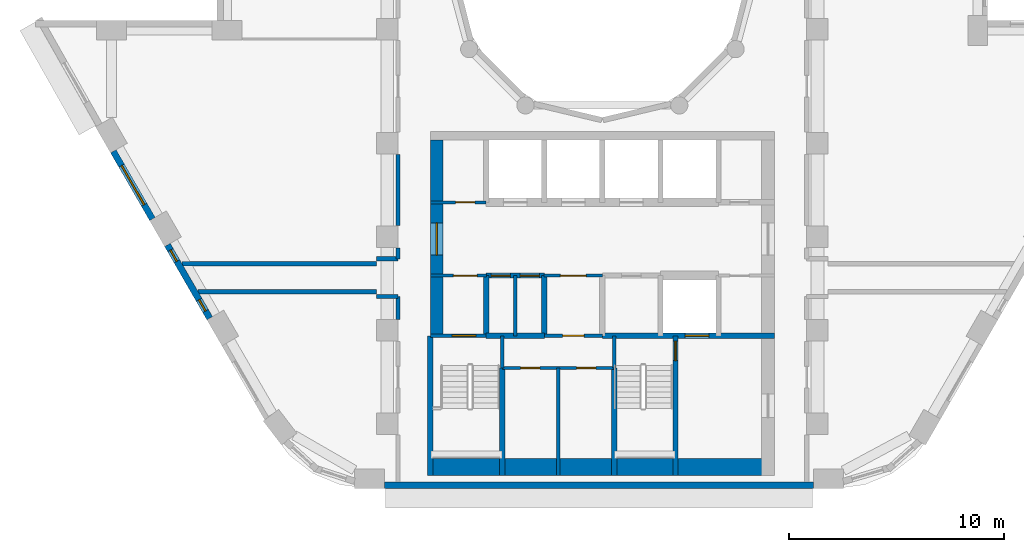
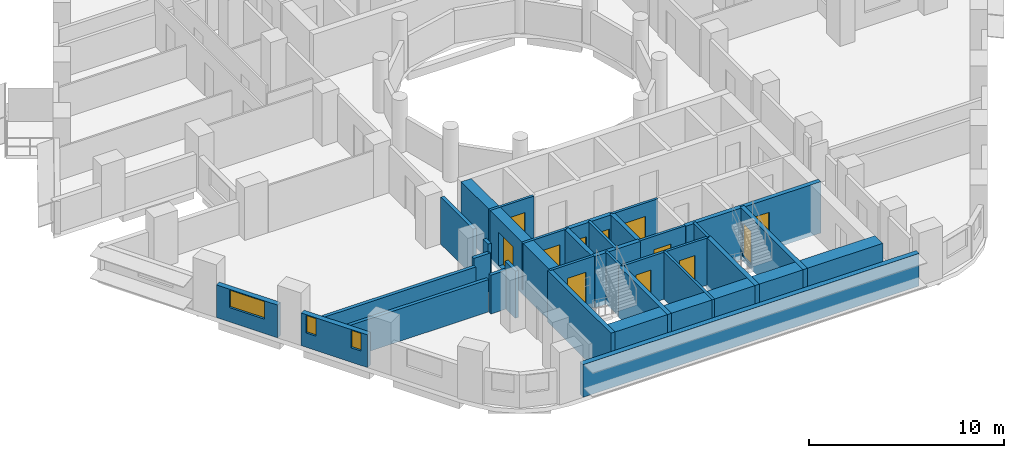
# One storey, part 3 of 14: 31 walls, 12 doors, 3 windows, 15 openings.
"""IFC4 building model written with IfcOpenShell, lengths in metres."""

from ifc_helpers import new_model, si_unit, direction, frame, frame_2d, origin, place, context, subcontext, project, spatial, rectangle, extrude, material, layer, layer_set, type_object, element, fill, save


model = new_model("IFC4")

# Units and contexts
model_context = context("Model", 3, precision=1e-05, world=origin(), true_north=direction((0.0, 1.0)))
body_context = subcontext(model_context, "Body", "Model", "MODEL_VIEW")
ifc_project = project(units=[si_unit("LENGTHUNIT", "METRE"), si_unit("AREAUNIT", "SQUARE_METRE"), si_unit("VOLUMEUNIT", "CUBIC_METRE"), si_unit("PLANEANGLEUNIT", "RADIAN"), si_unit("MASSUNIT", "GRAM", prefix="KILO")], contexts=[model_context])

# Site, building, storey
site_placement = place(None, origin())
site = spatial("IfcSite", under=ifc_project, at=site_placement, CompositionType="ELEMENT")
building_placement = place(site_placement, origin())
building = spatial("IfcBuilding", under=site, at=building_placement, Name="Nakaniwa Court", CompositionType="ELEMENT")
storey_placement = place(building_placement, frame((0.0, 0.0, 117.300048828125)))
storey = spatial("IfcBuildingStorey", under=building, at=storey_placement, Name="L31", CompositionType="ELEMENT", Elevation=117.300048828125)

# Walls
ifc_material_1 = material(Name="Acoustic double stud partition")
ifc_layer_1 = layer(ifc_material_1, 0.199951171875)
ifc_layer_set_1 = layer_set([ifc_layer_1], Name="Acoustic double stud partition")
wall_type_1 = type_object("IfcWallType", Name="Acoustic double stud partition 200", PredefinedType="PARTITIONING", material=ifc_layer_set_1)
wall_1_placement = place(storey_placement, frame((61.207275390625, 65.14990234375, 0.0), z_axis=(0.0, 0.0, 1.0), x_axis=(1.0, 0.0, 0.0)))
element("IfcWall", 1, at=wall_1_placement, inside=storey, type_object=wall_type_1, Name="Partition PW-090", PredefinedType="PARTITIONING", context=body_context, shape_type="SweptSolid", body=[
    extrude(rectangle(XDim=8.292724609375, YDim=0.199951171875, at=frame_2d((4.146484375, 0.0))), origin(), (0.0, 0.0, 1.0), 2.030029296875),
])
for number, where, z_axis, x_axis, name in (
    (2, (69.5, 64.925048828125, 0.0), (0.0, 0.0, 1.0), (1.0, 0.0, 0.0), "Partition PW-092"),
    (3, (69.5, 66.675048828125, 0.0), (0.0, 0.0, 1.0), (1.0, 0.0, 0.0), "Partition PW-094"),
):
    element("IfcWall", number, at=place(storey_placement, frame(where, z_axis=z_axis, x_axis=x_axis)), inside=storey, type_object=wall_type_1, Name=name, PredefinedType="PARTITIONING", context=body_context, shape_type="SweptSolid", body=[
        extrude(rectangle(XDim=1.0, YDim=0.199951171875, at=frame_2d((0.5, 0.0))), origin(), (0.0, 0.0, 1.0), 2.429931640625),
    ])
wall_2_placement = place(storey_placement, frame((60.456787109375, 66.449951171875, 0.0), z_axis=(0.0, 0.0, 1.0), x_axis=(1.0, 0.0, 0.0)))
element("IfcWall", 4, at=wall_2_placement, inside=storey, type_object=wall_type_1, Name="Partition PW-096", PredefinedType="PARTITIONING", context=body_context, shape_type="SweptSolid", body=[
    extrude(rectangle(XDim=9.043212890625, YDim=0.199951171875, at=frame_2d((4.521484375, 0.0))), origin(), (0.0, 0.0, 1.0), 2.030029296875),
])
wall_3_placement = place(storey_placement, frame((70.5, 63.866943359375, 0.0), z_axis=(0.0, 0.0, 1.0), x_axis=(0.0, 1.0, 0.0)))
element("IfcWall", 5, at=wall_3_placement, inside=storey, type_object=wall_type_1, Name="Partition PW-100", PredefinedType="PARTITIONING", context=body_context, shape_type="SweptSolid", body=[
    extrude(rectangle(XDim=1.06103515625, YDim=0.199951171875, at=frame_2d((0.530517578125, 0.0))), origin(), (0.0, 0.0, 1.0), 2.949951171875),
])
wall_4_placement = place(storey_placement, frame((70.5, 66.672119140625, 0.0), z_axis=(0.0, 0.0, 1.0), x_axis=(0.0, 1.0, 0.0)))
element("IfcWall", 6, at=wall_4_placement, inside=storey, type_object=wall_type_1, Name="Partition PW-101", PredefinedType="PARTITIONING", context=body_context, shape_type="SweptSolid", body=[
    extrude(rectangle(XDim=0.510986328125, YDim=0.199951171875, at=frame_2d((0.25537109375, 0.0))), origin(), (0.0, 0.0, 1.0), 2.949951171875),
])
wall_5_placement = place(storey_placement, frame((70.5, 68.217041015625, 0.0), z_axis=(0.0, 0.0, 1.0), x_axis=(0.0, 1.0, 0.0)))
element("IfcWall", 7, at=wall_5_placement, inside=storey, type_object=wall_type_1, Name="Partition PW-102", PredefinedType="PARTITIONING", context=body_context, shape_type="SweptSolid", body=[
    extrude(rectangle(XDim=3.31591796875, YDim=0.199951171875, at=frame_2d((1.657958984375, 0.0))), origin(), (0.0, 0.0, 1.0), 2.949951171875),
])

# Wall, opening, window
ifc_material_2 = material(Name="Charcoal ceramic cladding")
ifc_layer_2 = layer(ifc_material_2, 0.02, Name="Ceramic cladding")
ifc_material_3 = material(Name="Ventilated air cavity")
ifc_layer_3 = layer(ifc_material_3, 0.04, ventilated=True, Name="Ventilated cavity")
ifc_material_4 = material(Name="Mineral wool insulation")
ifc_layer_4 = layer(ifc_material_4, 0.1, Name="Insulation")
ifc_material_5 = material(Name="Cement bonded sheathing board")
ifc_layer_5 = layer(ifc_material_5, 0.012, Name="Sheathing")
ifc_material_6 = material(Name="Cold-formed galvanised stud frame with mineral wool infill")
ifc_layer_6 = layer(ifc_material_6, 0.1, Name="Stud frame")
ifc_material_7 = material(Name="Fire-rated gypsum plasterboard lining")
ifc_layer_7 = layer(ifc_material_7, 0.028, Name="Lining")
ifc_layer_set_2 = layer_set([ifc_layer_2, ifc_layer_3, ifc_layer_4, ifc_layer_5, ifc_layer_6, ifc_layer_7], Name="Charcoal ceramic faced external wall system")
wall_type_2 = type_object("IfcWallType", Name="Black ceramic faced external wall 300", PredefinedType="SOLIDWALL", material=ifc_layer_set_2)
wall_6_placement = place(storey_placement, frame((57.265380859375, 71.677490234375, 0.0), z_axis=(0.0, 0.0, 1.0), x_axis=(0.500009139881, -0.866020126807, 0.0)))
wall_6 = element("IfcWall", 8, at=wall_6_placement, inside=storey, type_object=wall_type_2, Name="L31 external wall 21", PredefinedType="SOLIDWALL", context=body_context, shape_type="SweptSolid", body=[
    extrude(rectangle(XDim=3.63671875, YDim=0.300048828125, at=frame_2d((1.818359375, 0.0))), origin(), (0.0, 0.0, 1.0), 2.050048828125),
])
opening_1_placement = place(wall_6_placement, frame((0.768310546875, 0.0, 0.89990234375)))
opening_1 = element("IfcOpeningElement", 9, at=opening_1_placement, cuts=wall_6, Name="Opening W7.15", PredefinedType="OPENING", context=body_context, shape_type="SweptSolid", body=[
    extrude(rectangle(XDim=2.10009765625, YDim=1.10009765625, at=frame_2d((1.050048828125, 0.550048828125))), frame((0.0, 0.159912109375, 0.0), z_axis=(0.0, -1.0, 0.0), x_axis=(1.0, 0.0, 0.0)), (0.0, 0.0, 1.0), 0.320068359375),
])
ifc_material_8 = material(Name="Black anodised aluminium frame with dark low-E laminated double glazing", Category="aluminium")
window_type_1 = type_object("IfcWindowType", Name="Dark glass window 2100x1100 sill 900", PartitioningType="SINGLE_PANEL", PredefinedType="WINDOW", material=ifc_material_8)
window_1_placement = place(opening_1_placement, origin())
window_1 = element("IfcWindow", 10, at=window_1_placement, inside=storey, type_object=window_type_1, Name="L31 habitable room window 21-0", OverallHeight=1.10009765625, OverallWidth=2.10009765625, PartitioningType="SINGLE_PANEL", PredefinedType="WINDOW", context=body_context, shape_type="SweptSolid", body=[
    extrude(rectangle(XDim=2.10009765625, YDim=1.10009765625, at=frame_2d((1.050048828125, 0.550048828125))), frame((0.0, 0.030029296875, 0.0), z_axis=(0.0, -1.0, 0.0), x_axis=(1.0, 0.0, 0.0)), (0.0, 0.0, 1.0), 0.06005859375),
])
fill(opening_1, window_1)

# Wall, openings, windows
wall_7_placement = place(storey_placement, frame((59.77978515625, 67.322509765625, 0.0), z_axis=(0.0, 0.0, 1.0), x_axis=(0.499957037901, -0.866050206543, 0.0)))
wall_7 = element("IfcWall", 11, at=wall_7_placement, inside=storey, type_object=wall_type_2, Name="L31 external wall 22", PredefinedType="SOLIDWALL", context=body_context, shape_type="SweptSolid", body=[
    extrude(rectangle(XDim=3.933837890625, YDim=0.300048828125, at=frame_2d((1.966796875, 0.0))), origin(), (0.0, 0.0, 1.0), 2.050048828125),
])
opening_2_placement = place(wall_7_placement, frame((0.27783203125, 0.0, 0.89990234375)))
opening_2 = element("IfcOpeningElement", 12, at=opening_2_placement, cuts=wall_7, Name="Opening W8.16", PredefinedType="OPENING", context=body_context, shape_type="SweptSolid", body=[
    extrude(rectangle(XDim=0.60009765625, YDim=1.10009765625, at=frame_2d((0.300048828125, 0.550048828125))), frame((0.0, 0.159912109375, 0.0), z_axis=(0.0, -1.0, 0.0), x_axis=(1.0, 0.0, 0.0)), (0.0, 0.0, 1.0), 0.320068359375),
])
opening_3_placement = place(wall_7_placement, frame((2.9453125, 0.0, 0.89990234375)))
opening_3 = element("IfcOpeningElement", 13, at=opening_3_placement, cuts=wall_7, Name="Opening W8.17", PredefinedType="OPENING", context=body_context, shape_type="SweptSolid", body=[
    extrude(rectangle(XDim=0.60009765625, YDim=1.10009765625, at=frame_2d((0.300048828125, 0.550048828125))), frame((0.0, 0.159912109375, 0.0), z_axis=(0.0, -1.0, 0.0), x_axis=(1.0, 0.0, 0.0)), (0.0, 0.0, 1.0), 0.320068359375),
])
window_type_2 = type_object("IfcWindowType", Name="Dark glass window 600x1100 sill 900", PartitioningType="SINGLE_PANEL", PredefinedType="WINDOW", material=ifc_material_8)
window_2_placement = place(opening_2_placement, origin())
window_2 = element("IfcWindow", 14, at=window_2_placement, inside=storey, type_object=window_type_2, Name="L31 habitable room window 22-0", OverallHeight=1.10009765625, OverallWidth=0.60009765625, PartitioningType="SINGLE_PANEL", PredefinedType="WINDOW", context=body_context, shape_type="SweptSolid", body=[
    extrude(rectangle(XDim=0.60009765625, YDim=1.10009765625, at=frame_2d((0.300048828125, 0.550048828125))), frame((0.0, 0.030029296875, 0.0), z_axis=(0.0, -1.0, 0.0), x_axis=(1.0, 0.0, 0.0)), (0.0, 0.0, 1.0), 0.06005859375),
])
fill(opening_2, window_2)
window_3_placement = place(opening_3_placement, origin())
window_3 = element("IfcWindow", 15, at=window_3_placement, inside=storey, type_object=window_type_2, Name="L31 habitable room window 22-2", OverallHeight=1.10009765625, OverallWidth=0.60009765625, PartitioningType="SINGLE_PANEL", PredefinedType="WINDOW", context=body_context, shape_type="SweptSolid", body=[
    extrude(rectangle(XDim=0.60009765625, YDim=1.10009765625, at=frame_2d((0.300048828125, 0.550048828125))), frame((0.0, 0.030029296875, 0.0), z_axis=(0.0, -1.0, 0.0), x_axis=(1.0, 0.0, 0.0)), (0.0, 0.0, 1.0), 0.06005859375),
])
fill(opening_3, window_3)

# Wall
wall_8_placement = place(storey_placement, frame((69.871337890625, 56.14990234375, 0.0), z_axis=(0.0, 0.0, 1.0), x_axis=(1.0, 0.0, 0.0)))
element("IfcWall", 16, at=wall_8_placement, inside=storey, type_object=wall_type_2, Name="L31 external wall 26", PredefinedType="SOLIDWALL", context=body_context, shape_type="SweptSolid", body=[
    extrude(rectangle(XDim=19.939697265625, YDim=0.300048828125, at=frame_2d((9.9697265625, 0.0))), origin(), (0.0, 0.0, 1.0), 2.050048828125),
])

# Wall, opening, door
ifc_material_9 = material(Name="Blockwork partition", Category="masonry")
ifc_layer_8 = layer(ifc_material_9, 0.14990234375)
ifc_layer_set_3 = layer_set([ifc_layer_8], Name="Blockwork partition")
wall_type_3 = type_object("IfcWallType", Name="Blockwork partition 150", PredefinedType="PARTITIONING", material=ifc_layer_set_3)
wall_9_placement = place(storey_placement, frame((72.0, 69.300048828125, 0.0), z_axis=(0.0, 0.0, 1.0), x_axis=(1.0, 0.0, 0.0)))
wall_9 = element("IfcWall", 17, at=wall_9_placement, inside=storey, type_object=wall_type_3, Name="Partition PW-037", PredefinedType="PARTITIONING", context=body_context, shape_type="SweptSolid", body=[
    extrude(rectangle(XDim=2.60009765625, YDim=0.14990234375, at=frame_2d((1.300048828125, 0.0))), origin(), (0.0, 0.0, 1.0), 2.949951171875),
])
opening_4_placement = place(wall_9_placement, frame((1.175048828125, 0.0, 0.0)))
opening_4 = element("IfcOpeningElement", 18, at=opening_4_placement, cuts=wall_9, Name="Opening D-05-09", PredefinedType="OPENING", context=body_context, shape_type="SweptSolid", body=[
    extrude(rectangle(XDim=0.89990234375, YDim=2.10009765625, at=frame_2d((0.449951171875, 1.050048828125))), frame((0.0, 0.0849609375, 0.0), z_axis=(0.0, -1.0, 0.0), x_axis=(1.0, 0.0, 0.0)), (0.0, 0.0, 1.0), 0.169921875),
])
ifc_material_10 = material(Name="Fire rated steel door set", Category="steel")
door_type_1 = type_object("IfcDoorType", Name="Service room door 900", OperationType="NOTDEFINED", PredefinedType="DOOR", material=ifc_material_10)
door_1_placement = place(opening_4_placement, origin())
door_1 = element("IfcDoor", 19, at=door_1_placement, inside=storey, type_object=door_type_1, Name="Door D-05-09 L31-014", OperationType="SINGLE_SWING_LEFT", OverallHeight=2.10009765625, OverallWidth=0.89990234375, PredefinedType="DOOR", context=body_context, shape_type="SweptSolid", body=[
    extrude(rectangle(XDim=0.89990234375, YDim=2.10009765625, at=frame_2d((0.449951171875, 1.050048828125))), frame((0.0, 0.02490234375, 0.0), z_axis=(0.0, -1.0, 0.0), x_axis=(1.0, 0.0, 0.0)), (0.0, 0.0, 1.0), 0.050048828125),
])
fill(opening_4, door_1)

wall_10_placement = place(storey_placement, frame((74.60302734375, 65.89990234375, 0.0), z_axis=(0.0, 0.0, 1.0), x_axis=(-1.0, 0.0, 0.0)))
wall_10 = element("IfcWall", 20, at=wall_10_placement, inside=storey, type_object=wall_type_3, Name="Partition PW-050", PredefinedType="PARTITIONING", context=body_context, shape_type="SweptSolid", body=[
    extrude(rectangle(XDim=2.60302734375, YDim=0.14990234375, at=frame_2d((1.301513671875, 0.0))), origin(), (0.0, 0.0, 1.0), 2.949951171875),
])
opening_5_placement = place(wall_10_placement, frame((0.427978515625, 0.0, 0.0)))
opening_5 = element("IfcOpeningElement", 21, at=opening_5_placement, cuts=wall_10, Name="Opening D-08-02", PredefinedType="OPENING", context=body_context, shape_type="SweptSolid", body=[
    extrude(rectangle(XDim=1.10009765625, YDim=2.10009765625, at=frame_2d((0.550048828125, 1.050048828125))), frame((0.0, 0.0849609375, 0.0), z_axis=(0.0, -1.0, 0.0), x_axis=(1.0, 0.0, 0.0)), (0.0, 0.0, 1.0), 0.169921875),
])
door_type_2 = type_object("IfcDoorType", Name="Stair lobby door 1100", OperationType="NOTDEFINED", PredefinedType="DOOR", material=ifc_material_10)
door_2_placement = place(opening_5_placement, origin())
door_2 = element("IfcDoor", 22, at=door_2_placement, inside=storey, type_object=door_type_2, Name="Door D-08-02 L31-016", OperationType="SINGLE_SWING_LEFT", OverallHeight=2.10009765625, OverallWidth=1.10009765625, PredefinedType="DOOR", context=body_context, shape_type="SweptSolid", body=[
    extrude(rectangle(XDim=1.10009765625, YDim=2.10009765625, at=frame_2d((0.550048828125, 1.050048828125))), frame((0.0, 0.02490234375, 0.0), z_axis=(0.0, -1.0, 0.0), x_axis=(1.0, 0.0, 0.0)), (0.0, 0.0, 1.0), 0.050048828125),
])
fill(opening_5, door_2)

wall_11_placement = place(storey_placement, frame((80.0029296875, 65.89990234375, 0.0), z_axis=(0.0, 0.0, 1.0), x_axis=(-1.0, 0.0, 0.0)))
wall_11 = element("IfcWall", 23, at=wall_11_placement, inside=storey, type_object=wall_type_3, Name="Partition PW-051", PredefinedType="PARTITIONING", context=body_context, shape_type="SweptSolid", body=[
    extrude(rectangle(XDim=2.705810546875, YDim=0.14990234375, at=frame_2d((1.35302734375, 0.0))), origin(), (0.0, 0.0, 1.0), 2.949951171875),
])
opening_6_placement = place(wall_11_placement, frame((0.7529296875, 0.0, 0.0)))
opening_6 = element("IfcOpeningElement", 24, at=opening_6_placement, cuts=wall_11, Name="Opening D-06-02", PredefinedType="OPENING", context=body_context, shape_type="SweptSolid", body=[
    extrude(rectangle(XDim=1.199951171875, YDim=2.10009765625, at=frame_2d((0.60009765625, 1.050048828125))), frame((0.0, 0.0849609375, 0.0), z_axis=(0.0, -1.0, 0.0), x_axis=(1.0, 0.0, 0.0)), (0.0, 0.0, 1.0), 0.169921875),
])
ifc_material_11 = material(Name="Fire rated steel double door set", Category="steel")
door_type_3 = type_object("IfcDoorType", Name="Service passage double door 1200", OperationType="NOTDEFINED", PredefinedType="DOOR", material=ifc_material_11)
door_3_placement = place(opening_6_placement, origin())
door_3 = element("IfcDoor", 25, at=door_3_placement, inside=storey, type_object=door_type_3, Name="Door D-06-02 L31-019", OperationType="DOUBLE_DOOR_SINGLE_SWING", OverallHeight=2.10009765625, OverallWidth=1.199951171875, PredefinedType="DOOR", context=body_context, shape_type="SweptSolid", body=[
    extrude(rectangle(XDim=1.199951171875, YDim=2.10009765625, at=frame_2d((0.60009765625, 1.050048828125))), frame((0.0, 0.02490234375, 0.0), z_axis=(0.0, -1.0, 0.0), x_axis=(1.0, 0.0, 0.0)), (0.0, 0.0, 1.0), 0.050048828125),
])
fill(opening_6, door_3)

# Wall
wall_12_placement = place(storey_placement, frame((75.949951171875, 63.10009765625, 0.0), z_axis=(0.0, 0.0, 1.0), x_axis=(0.0, 1.0, 0.0)))
element("IfcWall", 26, at=wall_12_placement, inside=storey, type_object=wall_type_3, Name="Partition PW-057", PredefinedType="PARTITIONING", context=body_context, shape_type="SweptSolid", body=[
    extrude(rectangle(XDim=2.7998046875, YDim=0.14990234375, at=frame_2d((1.39990234375, 0.0))), origin(), (0.0, 0.0, 1.0), 2.949951171875),
])

# Wall, opening, door
wall_13_placement = place(storey_placement, frame((80.0, 63.10009765625, 0.0), z_axis=(0.0, 0.0, 1.0), x_axis=(-1.0, 0.0, 0.0)))
wall_13 = element("IfcWall", 27, at=wall_13_placement, inside=storey, type_object=wall_type_3, Name="Partition PW-060", PredefinedType="PARTITIONING", context=body_context, shape_type="SweptSolid", body=[
    extrude(rectangle(XDim=2.699951171875, YDim=0.14990234375, at=frame_2d((1.35009765625, 0.0))), origin(), (0.0, 0.0, 1.0), 2.949951171875),
])
opening_7_placement = place(wall_13_placement, frame((0.85009765625, 0.0, 0.0)))
opening_7 = element("IfcOpeningElement", 28, at=opening_7_placement, cuts=wall_13, Name="Opening D-23-02", PredefinedType="OPENING", context=body_context, shape_type="SweptSolid", body=[
    extrude(rectangle(XDim=1.0, YDim=2.10009765625, at=frame_2d((0.5, 1.050048828125))), frame((0.0, 0.0849609375, 0.0), z_axis=(0.0, -1.0, 0.0), x_axis=(1.0, 0.0, 0.0)), (0.0, 0.0, 1.0), 0.169921875),
])
door_type_4 = type_object("IfcDoorType", Name="Service room door 1000", OperationType="NOTDEFINED", PredefinedType="DOOR", material=ifc_material_10)
door_4_placement = place(opening_7_placement, origin())
door_4 = element("IfcDoor", 29, at=door_4_placement, inside=storey, type_object=door_type_4, Name="Door D-23-02 L31-022", OperationType="SINGLE_SWING_LEFT", OverallHeight=2.10009765625, OverallWidth=1.0, PredefinedType="DOOR", context=body_context, shape_type="SweptSolid", body=[
    extrude(rectangle(XDim=1.0, YDim=2.10009765625, at=frame_2d((0.5, 1.050048828125))), frame((0.0, 0.02490234375, 0.0), z_axis=(0.0, -1.0, 0.0), x_axis=(1.0, 0.0, 0.0)), (0.0, 0.0, 1.0), 0.050048828125),
])
fill(opening_7, door_4)

# Wall, openings, doors
wall_14_placement = place(storey_placement, frame((80.550048828125, 61.60009765625, 0.0), z_axis=(0.0, 0.0, 1.0), x_axis=(-1.0, 0.0, 0.0)))
wall_14 = element("IfcWall", 30, at=wall_14_placement, inside=storey, type_object=wall_type_3, Name="Partition PW-067", PredefinedType="PARTITIONING", context=body_context, shape_type="SweptSolid", body=[
    extrude(rectangle(XDim=5.199951171875, YDim=0.14990234375, at=frame_2d((2.60009765625, 0.0))), origin(), (0.0, 0.0, 1.0), 2.949951171875),
])
opening_8_placement = place(wall_14_placement, frame((3.449951171875, 0.0, 0.0)))
opening_8 = element("IfcOpeningElement", 31, at=opening_8_placement, cuts=wall_14, Name="Opening D-05-15", PredefinedType="OPENING", context=body_context, shape_type="SweptSolid", body=[
    extrude(rectangle(XDim=0.89990234375, YDim=2.10009765625, at=frame_2d((0.449951171875, 1.050048828125))), frame((0.0, 0.0849609375, 0.0), z_axis=(0.0, -1.0, 0.0), x_axis=(1.0, 0.0, 0.0)), (0.0, 0.0, 1.0), 0.169921875),
])
opening_9_placement = place(wall_14_placement, frame((0.85009765625, 0.0, 0.0)))
opening_9 = element("IfcOpeningElement", 32, at=opening_9_placement, cuts=wall_14, Name="Opening D-05-16", PredefinedType="OPENING", context=body_context, shape_type="SweptSolid", body=[
    extrude(rectangle(XDim=0.89990234375, YDim=2.10009765625, at=frame_2d((0.449951171875, 1.050048828125))), frame((0.0, 0.0849609375, 0.0), z_axis=(0.0, -1.0, 0.0), x_axis=(1.0, 0.0, 0.0)), (0.0, 0.0, 1.0), 0.169921875),
])
door_5_placement = place(opening_8_placement, origin())
door_5 = element("IfcDoor", 33, at=door_5_placement, inside=storey, type_object=door_type_1, Name="Door D-05-15 L31-023", OperationType="SINGLE_SWING_RIGHT", OverallHeight=2.10009765625, OverallWidth=0.89990234375, PredefinedType="DOOR", context=body_context, shape_type="SweptSolid", body=[
    extrude(rectangle(XDim=0.89990234375, YDim=2.10009765625, at=frame_2d((0.449951171875, 1.050048828125))), frame((0.0, 0.02490234375, 0.0), z_axis=(0.0, -1.0, 0.0), x_axis=(1.0, 0.0, 0.0)), (0.0, 0.0, 1.0), 0.050048828125),
])
fill(opening_8, door_5)
door_6_placement = place(opening_9_placement, origin())
door_6 = element("IfcDoor", 34, at=door_6_placement, inside=storey, type_object=door_type_1, Name="Door D-05-16 L31-024", OperationType="SINGLE_SWING_LEFT", OverallHeight=2.10009765625, OverallWidth=0.89990234375, PredefinedType="DOOR", context=body_context, shape_type="SweptSolid", body=[
    extrude(rectangle(XDim=0.89990234375, YDim=2.10009765625, at=frame_2d((0.449951171875, 1.050048828125))), frame((0.0, 0.02490234375, 0.0), z_axis=(0.0, -1.0, 0.0), x_axis=(1.0, 0.0, 0.0)), (0.0, 0.0, 1.0), 0.050048828125),
])
fill(opening_9, door_6)

# Wall
wall_15_placement = place(storey_placement, frame((77.949951171875, 56.60009765625, 0.0), z_axis=(0.0, 0.0, 1.0), x_axis=(0.0, 1.0, 0.0)))
element("IfcWall", 35, at=wall_15_placement, inside=storey, type_object=wall_type_3, Name="Partition PW-068", PredefinedType="PARTITIONING", context=body_context, shape_type="SweptSolid", body=[
    extrude(rectangle(XDim=5.0, YDim=0.14990234375, at=frame_2d((2.5, 0.0))), origin(), (0.0, 0.0, 1.0), 2.949951171875),
])

# Wall, opening, door
ifc_material_12 = material(Name="Concrete C80/100", Category="concrete")
ifc_layer_9 = layer(ifc_material_12, 0.60009765625)
ifc_layer_set_4 = layer_set([ifc_layer_9], Name="Concrete C80/100")
wall_type_4 = type_object("IfcWallType", Name="Concrete core side wall 600 C80", PredefinedType="SHEAR", material=ifc_layer_set_4)
wall_16_placement = place(storey_placement, frame((72.300048828125, 63.10009765625, -0.275146484375), z_axis=(0.0, 0.0, 1.0), x_axis=(0.0, 1.0, 0.0)))
wall_16 = element("IfcWall", 36, at=wall_16_placement, inside=storey, type_object=wall_type_4, Name="Core wall SW-38", PredefinedType="SHEAR", context=body_context, shape_type="SweptSolid", body=[
    extrude(rectangle(XDim=9.099853515625, YDim=0.60009765625, at=frame_2d((4.5498046875, 0.0))), origin(), (0.0, 0.0, 1.0), 3.22509765625),
])
opening_10_placement = place(wall_16_placement, frame((3.75, 0.0, 0.27490234375)))
opening_10 = element("IfcOpeningElement", 37, at=opening_10_placement, cuts=wall_16, Name="Opening D-07-04", PredefinedType="OPENING", context=body_context, shape_type="SweptSolid", body=[
    extrude(rectangle(XDim=1.5, YDim=2.10009765625, at=frame_2d((0.75, 1.050048828125))), frame((0.0, 0.31005859375, 0.0), z_axis=(0.0, -1.0, 0.0), x_axis=(1.0, 0.0, 0.0)), (0.0, 0.0, 1.0), 0.6201171875),
])
ifc_material_13 = material(Name="Glazed fire rated steel double door set", Category="steel")
door_type_5 = type_object("IfcDoorType", Name="Lobby double door 1500", OperationType="NOTDEFINED", PredefinedType="DOOR", material=ifc_material_13)
door_7_placement = place(opening_10_placement, origin())
door_7 = element("IfcDoor", 38, at=door_7_placement, inside=storey, type_object=door_type_5, Name="Door D-07-04 L31-051", OperationType="DOUBLE_DOOR_SINGLE_SWING", OverallHeight=2.10009765625, OverallWidth=1.5, PredefinedType="DOOR", context=body_context, shape_type="SweptSolid", body=[
    extrude(rectangle(XDim=1.5, YDim=2.10009765625, at=frame_2d((0.75, 1.050048828125))), frame((0.0, 0.02490234375, 0.0), z_axis=(0.0, -1.0, 0.0), x_axis=(1.0, 0.0, 0.0)), (0.0, 0.0, 1.0), 0.050048828125),
])
fill(opening_10, door_7)

ifc_layer_10 = layer(ifc_material_12, 0.14990234375)
ifc_layer_set_5 = layer_set([ifc_layer_10], Name="Concrete C80/100")
wall_type_5 = type_object("IfcWallType", Name="Concrete core wall 150 C80", PredefinedType="SHEAR", material=ifc_layer_set_5)
wall_17_placement = place(storey_placement, frame((72.0, 63.10009765625, -0.275146484375), z_axis=(0.0, 0.0, 1.0), x_axis=(1.0, 0.0, 0.0)))
wall_17 = element("IfcWall", 39, at=wall_17_placement, inside=storey, type_object=wall_type_5, Name="Core wall SW-56", PredefinedType="SHEAR", context=body_context, shape_type="SweptSolid", body=[
    extrude(rectangle(XDim=2.60009765625, YDim=0.14990234375, at=frame_2d((1.300048828125, 0.0))), origin(), (0.0, 0.0, 1.0), 3.22509765625),
])
opening_11_placement = place(wall_17_placement, frame((1.02001953125, 0.0, 0.27490234375)))
opening_11 = element("IfcOpeningElement", 40, at=opening_11_placement, cuts=wall_17, Name="Opening D-09-02", PredefinedType="OPENING", context=body_context, shape_type="SweptSolid", body=[
    extrude(rectangle(XDim=1.10009765625, YDim=2.10009765625, at=frame_2d((0.550048828125, 1.050048828125))), frame((0.0, 0.0849609375, 0.0), z_axis=(0.0, -1.0, 0.0), x_axis=(1.0, 0.0, 0.0)), (0.0, 0.0, 1.0), 0.169921875),
])
door_type_6 = type_object("IfcDoorType", Name="Stair door 1100", OperationType="NOTDEFINED", PredefinedType="DOOR", material=ifc_material_10)
door_8_placement = place(opening_11_placement, origin())
door_8 = element("IfcDoor", 41, at=door_8_placement, inside=storey, type_object=door_type_6, Name="Door D-09-02 L31-025", OperationType="SINGLE_SWING_LEFT", OverallHeight=2.10009765625, OverallWidth=1.10009765625, PredefinedType="DOOR", context=body_context, shape_type="SweptSolid", body=[
    extrude(rectangle(XDim=1.10009765625, YDim=2.10009765625, at=frame_2d((0.550048828125, 1.050048828125))), frame((0.0, 0.02490234375, 0.0), z_axis=(0.0, -1.0, 0.0), x_axis=(1.0, 0.0, 0.0)), (0.0, 0.0, 1.0), 0.050048828125),
])
fill(opening_11, door_8)

# Walls
for number, where, z_axis, x_axis, name in (
    (42, (75.35009765625, 61.596923828125, -0.275146484375), (0.0, 0.0, 1.0), (0.0, 1.0, 0.0), "Core wall SW-61"),
    (43, (80.550048828125, 61.596923828125, -0.275146484375), (0.0, 0.0, 1.0), (0.0, 1.0, 0.0), "Core wall SW-65"),
):
    element("IfcWall", number, at=place(storey_placement, frame(where, z_axis=z_axis, x_axis=x_axis)), inside=storey, type_object=wall_type_5, Name=name, PredefinedType="SHEAR", context=body_context, shape_type="SweptSolid", body=[
        extrude(rectangle(XDim=1.503173828125, YDim=0.14990234375, at=frame_2d((0.75146484375, 0.0))), origin(), (0.0, 0.0, 1.0), 3.22509765625),
    ])
ifc_layer_11 = layer(ifc_material_12, 0.25)
ifc_layer_set_6 = layer_set([ifc_layer_11], Name="Concrete C80/100")
wall_type_6 = type_object("IfcWallType", Name="Concrete core wall 250 C80", PredefinedType="SHEAR", material=ifc_layer_set_6)
wall_18_placement = place(storey_placement, frame((72.0, 56.60009765625, -0.275146484375), z_axis=(0.0, 0.0, 1.0), x_axis=(0.0, 1.0, 0.0)))
element("IfcWall", 44, at=wall_18_placement, inside=storey, type_object=wall_type_6, Name="Core wall SW-63", PredefinedType="SHEAR", context=body_context, shape_type="SweptSolid", body=[
    extrude(rectangle(XDim=6.5, YDim=0.25, at=frame_2d((3.25, 0.0))), origin(), (0.0, 0.0, 1.0), 3.22509765625),
])
ifc_layer_12 = layer(ifc_material_12, 0.800048828125)
ifc_layer_set_7 = layer_set([ifc_layer_12], Name="Concrete C80/100")
wall_type_7 = type_object("IfcWallType", Name="Concrete core wall 800 C80", PredefinedType="SHEAR", material=ifc_layer_set_7)
wall_19_placement = place(storey_placement, frame((72.00390625, 57.0, -0.275146484375), z_axis=(0.0, 0.0, 1.0), x_axis=(1.0, 0.0, 0.0)))
element("IfcWall", 45, at=wall_19_placement, inside=storey, type_object=wall_type_7, Name="Core wall SW-130", PredefinedType="SHEAR", context=body_context, shape_type="SweptSolid", body=[
    extrude(rectangle(XDim=15.9921875, YDim=0.800048828125, at=frame_2d((7.99609375, 0.0))), origin(), (0.0, 0.0, 1.0), 3.22509765625),
])
ifc_layer_13 = layer(ifc_material_12, 0.25)
ifc_layer_set_8 = layer_set([ifc_layer_13], Name="Concrete C80/100")
wall_type_8 = type_object("IfcWallType", Name="Concrete shaft wall 250 C80", PredefinedType="SHEAR", material=ifc_layer_set_8)
for number, where, z_axis, x_axis, name in (
    (46, (74.60009765625, 63.10009765625, -0.275146484375), (0.0, 0.0, 1.0), (0.0, 1.0, 0.0), "Core wall SW-35"),
    (47, (77.300048828125, 63.10009765625, -0.275146484375), (0.0, 0.0, 1.0), (0.0, 1.0, 0.0), "Core wall SW-39"),
):
    element("IfcWall", number, at=place(storey_placement, frame(where, z_axis=z_axis, x_axis=x_axis)), inside=storey, type_object=wall_type_8, Name=name, PredefinedType="SHEAR", context=body_context, shape_type="SweptSolid", body=[
        extrude(rectangle(XDim=2.7998046875, YDim=0.25, at=frame_2d((1.39990234375, 0.0))), origin(), (0.0, 0.0, 1.0), 3.22509765625),
    ])

# Wall, openings, doors
wall_20_placement = place(storey_placement, frame((77.302978515625, 65.89990234375, -0.275146484375), z_axis=(0.0, 0.0, 1.0), x_axis=(-1.0, 0.0, 0.0)))
wall_20 = element("IfcWall", 48, at=wall_20_placement, inside=storey, type_object=wall_type_8, Name="Core wall SW-53", PredefinedType="SHEAR", context=body_context, shape_type="SweptSolid", body=[
    extrude(rectangle(XDim=2.7060546875, YDim=0.25, at=frame_2d((1.35302734375, 0.0))), origin(), (0.0, 0.0, 1.0), 3.22509765625),
])
opening_12_placement = place(wall_20_placement, frame((1.577880859375, 0.0, 0.27490234375)))
opening_12 = element("IfcOpeningElement", 49, at=opening_12_placement, cuts=wall_20, Name="Opening D-05-11", PredefinedType="OPENING", context=body_context, shape_type="SweptSolid", body=[
    extrude(rectangle(XDim=0.89990234375, YDim=2.10009765625, at=frame_2d((0.449951171875, 1.050048828125))), frame((0.0, 0.135009765625, 0.0), z_axis=(0.0, -1.0, 0.0), x_axis=(1.0, 0.0, 0.0)), (0.0, 0.0, 1.0), 0.27001953125),
])
opening_13_placement = place(wall_20_placement, frame((0.22802734375, 0.0, 0.27490234375)))
opening_13 = element("IfcOpeningElement", 50, at=opening_13_placement, cuts=wall_20, Name="Opening D-05-12", PredefinedType="OPENING", context=body_context, shape_type="SweptSolid", body=[
    extrude(rectangle(XDim=0.89990234375, YDim=2.10009765625, at=frame_2d((0.449951171875, 1.050048828125))), frame((0.0, 0.135009765625, 0.0), z_axis=(0.0, -1.0, 0.0), x_axis=(1.0, 0.0, 0.0)), (0.0, 0.0, 1.0), 0.27001953125),
])
door_9_placement = place(opening_12_placement, origin())
door_9 = element("IfcDoor", 51, at=door_9_placement, inside=storey, type_object=door_type_1, Name="Door D-05-11 L31-017", OperationType="SINGLE_SWING_RIGHT", OverallHeight=2.10009765625, OverallWidth=0.89990234375, PredefinedType="DOOR", context=body_context, shape_type="SweptSolid", body=[
    extrude(rectangle(XDim=0.89990234375, YDim=2.10009765625, at=frame_2d((0.449951171875, 1.050048828125))), frame((0.0, 0.02490234375, 0.0), z_axis=(0.0, -1.0, 0.0), x_axis=(1.0, 0.0, 0.0)), (0.0, 0.0, 1.0), 0.050048828125),
])
fill(opening_12, door_9)
door_10_placement = place(opening_13_placement, origin())
door_10 = element("IfcDoor", 52, at=door_10_placement, inside=storey, type_object=door_type_1, Name="Door D-05-12 L31-018", OperationType="SINGLE_SWING_LEFT", OverallHeight=2.10009765625, OverallWidth=0.89990234375, PredefinedType="DOOR", context=body_context, shape_type="SweptSolid", body=[
    extrude(rectangle(XDim=0.89990234375, YDim=2.10009765625, at=frame_2d((0.449951171875, 1.050048828125))), frame((0.0, 0.02490234375, 0.0), z_axis=(0.0, -1.0, 0.0), x_axis=(1.0, 0.0, 0.0)), (0.0, 0.0, 1.0), 0.050048828125),
])
fill(opening_13, door_10)

# Wall
wall_21_placement = place(storey_placement, frame((74.60009765625, 63.10009765625, -0.275146484375), z_axis=(0.0, 0.0, 1.0), x_axis=(1.0, 0.0, 0.0)))
element("IfcWall", 53, at=wall_21_placement, inside=storey, type_object=wall_type_8, Name="Core wall SW-58", PredefinedType="SHEAR", context=body_context, shape_type="SweptSolid", body=[
    extrude(rectangle(XDim=2.699951171875, YDim=0.25, at=frame_2d((1.35009765625, 0.0))), origin(), (0.0, 0.0, 1.0), 3.22509765625),
])

# Wall, opening, door
wall_22_placement = place(storey_placement, frame((80.0, 63.10009765625, -0.275146484375), z_axis=(0.0, 0.0, 1.0), x_axis=(1.0, 0.0, 0.0)))
wall_22 = element("IfcWall", 54, at=wall_22_placement, inside=storey, type_object=wall_type_8, Name="Core wall SW-59", PredefinedType="SHEAR", context=body_context, shape_type="SweptSolid", body=[
    extrude(rectangle(XDim=8.0, YDim=0.25, at=frame_2d((4.0, 0.0))), origin(), (0.0, 0.0, 1.0), 3.22509765625),
])
opening_14_placement = place(wall_22_placement, frame((3.84912109375, 0.0, 0.27490234375)))
opening_14 = element("IfcOpeningElement", 55, at=opening_14_placement, cuts=wall_22, Name="Opening LD08", PredefinedType="OPENING", context=body_context, shape_type="SweptSolid", body=[
    extrude(rectangle(XDim=1.10009765625, YDim=2.10009765625, at=frame_2d((0.550048828125, 1.050048828125))), frame((0.0, 0.135009765625, 0.0), z_axis=(0.0, -1.0, 0.0), x_axis=(1.0, 0.0, 0.0)), (0.0, 0.0, 1.0), 0.27001953125),
])
ifc_material_14 = material(Name="Stainless steel sliding lift landing door", Category="steel")
door_type_7 = type_object("IfcDoorType", Name="Lift landing door 1100", OperationType="NOTDEFINED", PredefinedType="DOOR", material=ifc_material_14)
door_11_placement = place(opening_14_placement, origin())
door_11 = element("IfcDoor", 56, at=door_11_placement, inside=storey, type_object=door_type_7, Name="Lift landing door LD08 L31-008", OperationType="SLIDING_TO_LEFT", OverallHeight=2.10009765625, OverallWidth=1.10009765625, PredefinedType="DOOR", context=body_context, shape_type="SweptSolid", body=[
    extrude(rectangle(XDim=1.10009765625, YDim=2.10009765625, at=frame_2d((0.550048828125, 1.050048828125))), frame((0.0, 0.02490234375, 0.0), z_axis=(0.0, -1.0, 0.0), x_axis=(1.0, 0.0, 0.0)), (0.0, 0.0, 1.0), 0.050048828125),
])
fill(opening_14, door_11)

# Wall
wall_23_placement = place(storey_placement, frame((75.35009765625, 56.60009765625, -0.275146484375), z_axis=(0.0, 0.0, 1.0), x_axis=(0.0, 1.0, 0.0)))
element("IfcWall", 57, at=wall_23_placement, inside=storey, type_object=wall_type_8, Name="Core wall SW-62", PredefinedType="SHEAR", context=body_context, shape_type="SweptSolid", body=[
    extrude(rectangle(XDim=5.0029296875, YDim=0.25, at=frame_2d((2.50146484375, 0.0))), origin(), (0.0, 0.0, 1.0), 3.22509765625),
])

# Wall, opening, door
wall_24_placement = place(storey_placement, frame((83.39990234375, 63.10009765625, -0.275146484375), z_axis=(0.0, 0.0, 1.0), x_axis=(0.0, -1.0, 0.0)))
wall_24 = element("IfcWall", 58, at=wall_24_placement, inside=storey, type_object=wall_type_8, Name="Core wall SW-64", PredefinedType="SHEAR", context=body_context, shape_type="SweptSolid", body=[
    extrude(rectangle(XDim=6.5, YDim=0.25, at=frame_2d((3.25, 0.0))), origin(), (0.0, 0.0, 1.0), 3.22509765625),
])
opening_15_placement = place(wall_24_placement, frame((0.25, 0.0, 0.27490234375)))
opening_15 = element("IfcOpeningElement", 59, at=opening_15_placement, cuts=wall_24, Name="Opening D-11-02", PredefinedType="OPENING", context=body_context, shape_type="SweptSolid", body=[
    extrude(rectangle(XDim=0.89990234375, YDim=2.10009765625, at=frame_2d((0.449951171875, 1.050048828125))), frame((0.0, 0.135009765625, 0.0), z_axis=(0.0, -1.0, 0.0), x_axis=(1.0, 0.0, 0.0)), (0.0, 0.0, 1.0), 0.27001953125),
])
door_type_8 = type_object("IfcDoorType", Name="Stair door 900", OperationType="NOTDEFINED", PredefinedType="DOOR", material=ifc_material_10)
door_12_placement = place(opening_15_placement, origin())
door_12 = element("IfcDoor", 60, at=door_12_placement, inside=storey, type_object=door_type_8, Name="Door D-11-02 L31-026", OperationType="SINGLE_SWING_RIGHT", OverallHeight=2.10009765625, OverallWidth=0.89990234375, PredefinedType="DOOR", context=body_context, shape_type="SweptSolid", body=[
    extrude(rectangle(XDim=0.89990234375, YDim=2.10009765625, at=frame_2d((0.449951171875, 1.050048828125))), frame((0.0, 0.02490234375, 0.0), z_axis=(0.0, -1.0, 0.0), x_axis=(1.0, 0.0, 0.0)), (0.0, 0.0, 1.0), 0.050048828125),
])
fill(opening_15, door_12)

# Wall
wall_25_placement = place(storey_placement, frame((80.550048828125, 56.60009765625, -0.275146484375), z_axis=(0.0, 0.0, 1.0), x_axis=(0.0, 1.0, 0.0)))
element("IfcWall", 61, at=wall_25_placement, inside=storey, type_object=wall_type_8, Name="Core wall SW-66", PredefinedType="SHEAR", context=body_context, shape_type="SweptSolid", body=[
    extrude(rectangle(XDim=5.0029296875, YDim=0.25, at=frame_2d((2.50146484375, 0.0))), origin(), (0.0, 0.0, 1.0), 3.22509765625),
])

save(model, "model.ifc")
